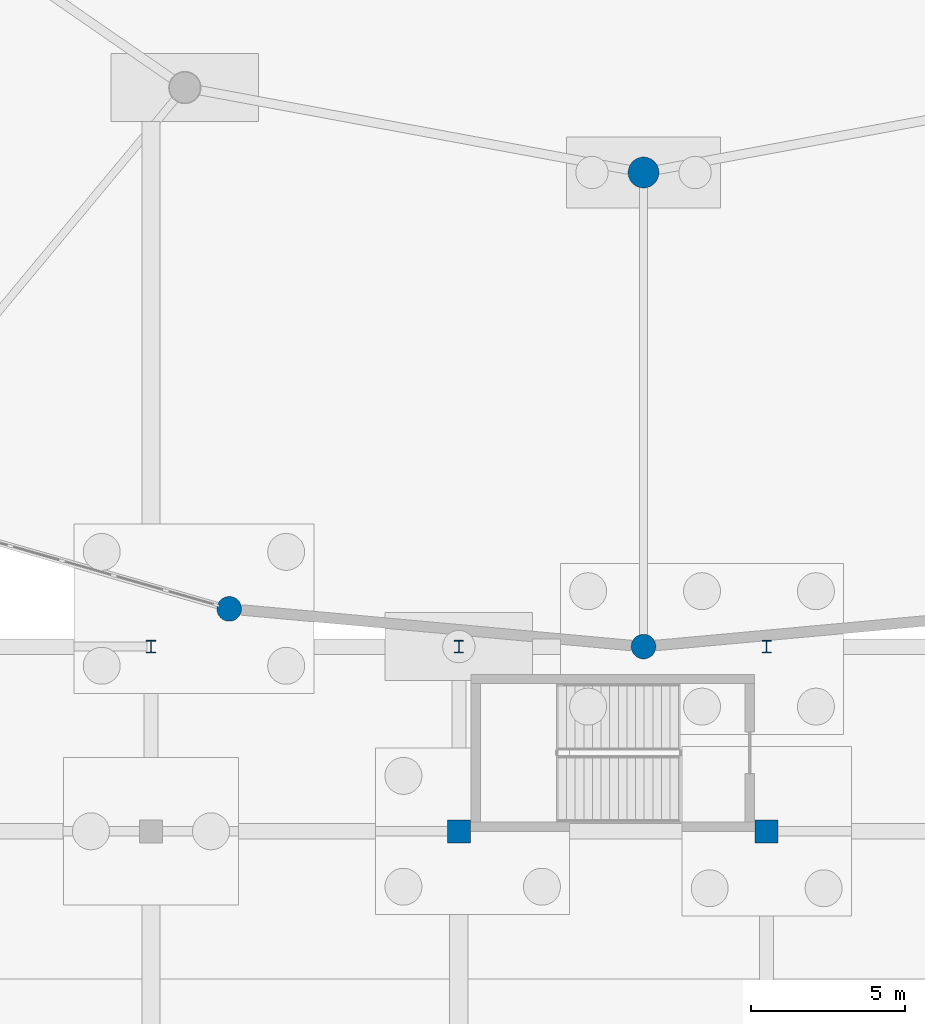
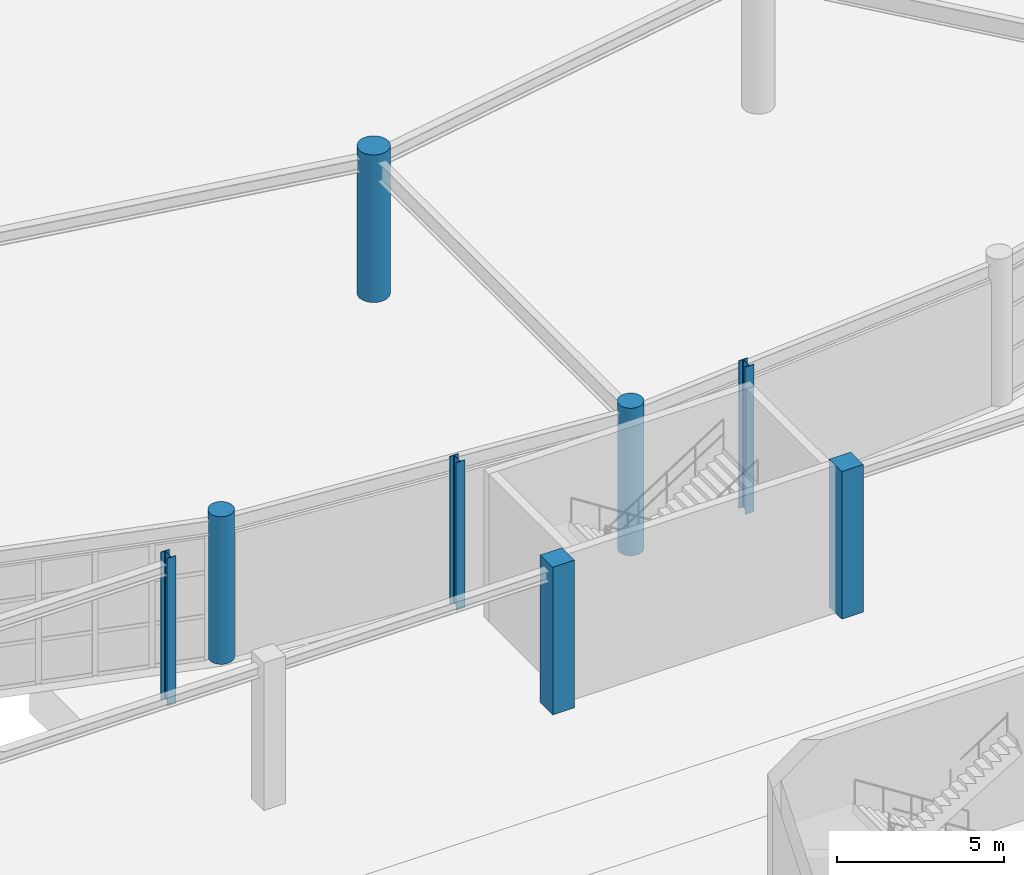
# One storey, part 12 of 99: 8 columns.
"""IFC4 building model written with IfcOpenShell, lengths in metres."""

from ifc_helpers import new_model, si_unit, direction, frame, origin, origin_2d, place, context, subcontext, project, spatial, rectangle, circle, i_section, extrude, material, material_profile, profile_set, type_object, element, save


model = new_model("IFC4")

# Units and contexts
model_context = context("Model", 3, precision=1e-05, world=origin(), true_north=direction((0.0, 1.0)))
body_context = subcontext(model_context, "Body", "Model", "MODEL_VIEW")
ifc_project = project(units=[si_unit("LENGTHUNIT", "METRE"), si_unit("AREAUNIT", "SQUARE_METRE"), si_unit("VOLUMEUNIT", "CUBIC_METRE"), si_unit("PLANEANGLEUNIT", "RADIAN"), si_unit("MASSUNIT", "GRAM", prefix="KILO")], contexts=[model_context])

# Site, building, storey
site_placement = place(None, origin())
site = spatial("IfcSite", under=ifc_project, at=site_placement, CompositionType="ELEMENT")
building_placement = place(site_placement, origin())
building = spatial("IfcBuilding", under=site, at=building_placement, Name="Kivolera Central Railway Station", CompositionType="ELEMENT")
storey_placement = place(building_placement, origin())
storey = spatial("IfcBuildingStorey", under=building, at=storey_placement, Name="L00", CompositionType="ELEMENT", Elevation=0.0)

# Columns
ifc_material_1 = material(Name="Concrete C40/50", Category="concrete")
ifc_material_profile_1 = material_profile(ifc_material_1, rectangle(XDim=0.75, YDim=0.75, at=origin_2d()), Name="RC 750x750")
ifc_profile_set_1 = profile_set([ifc_material_profile_1], Name="Concrete C40/50")
column_type_1 = type_object("IfcColumnType", Name="COL-RC-750", PredefinedType="COLUMN", material=ifc_profile_set_1)
for number, where, z_axis, x_axis, name in (
    (1, (58.0, 48.0, 0.0), (0.0, 0.0, 1.0), (1.0, 0.0, 0.0), "L00 Train Shed Column 6-D"),
    (2, (68.0, 48.0, 0.0), (0.0, 0.0, 1.0), (1.0, 0.0, 0.0), "L00 Train Shed Column 7-D"),
):
    element("IfcColumn", number, at=place(storey_placement, frame(where, z_axis=z_axis, x_axis=x_axis)), inside=storey, type_object=column_type_1, Name=name, PredefinedType="COLUMN", context=body_context, shape_type="SweptSolid", body=[
        extrude(rectangle(XDim=0.75, YDim=0.75, at=origin_2d()), origin(), (0.0, 0.0, 1.0), 5.39990234375),
    ])
ifc_material_profile_2 = material_profile(ifc_material_1, circle(Radius=0.5, at=origin_2d()), Name="RC D1000")
ifc_profile_set_2 = profile_set([ifc_material_profile_2], Name="Concrete C40/50")
column_type_2 = type_object("IfcColumnType", Name="COL-RC-D1000", PredefinedType="COLUMN", material=ifc_profile_set_2)
column_placement = place(storey_placement, frame((64.0, 69.39990234375, 0.0), z_axis=(0.0, 0.0, 1.0), x_axis=(1.0, 0.0, 0.0)))
element("IfcColumn", 3, at=column_placement, inside=storey, type_object=column_type_2, Name="L00 Oval Gallery Column I10", PredefinedType="COLUMN", context=body_context, shape_type="SweptSolid", body=[
    extrude(circle(Radius=0.5, at=origin_2d()), origin(), (0.0, 0.0, 1.0), 5.39990234375),
])
ifc_material_profile_3 = material_profile(ifc_material_1, circle(Radius=0.39990234375, at=origin_2d()), Name="RC D800")
ifc_profile_set_3 = profile_set([ifc_material_profile_3], Name="Concrete C40/50")
column_type_3 = type_object("IfcColumnType", Name="COL-RC-D800", PredefinedType="COLUMN", material=ifc_profile_set_3)
for number, where, z_axis, x_axis, name in (
    (4, (50.541015625, 55.22705078125, 0.0), (0.0, 0.0, 1.0), (1.0, 0.0, 0.0), "L00 Oval Drum Perimeter Column P18"),
    (5, (64.0, 54.0, 0.0), (0.0, 0.0, 1.0), (1.0, 0.0, 0.0), "L00 Oval Drum Perimeter Column P19"),
):
    element("IfcColumn", number, at=place(storey_placement, frame(where, z_axis=z_axis, x_axis=x_axis)), inside=storey, type_object=column_type_3, Name=name, PredefinedType="COLUMN", context=body_context, shape_type="SweptSolid", body=[
        extrude(circle(Radius=0.39990234375, at=origin_2d()), origin(), (0.0, 0.0, 1.0), 5.39990234375),
    ])
ifc_material_2 = material(Name="Steel S355", Category="steel")
ifc_material_profile_4 = material_profile(ifc_material_2, i_section(OverallWidth=0.300048828125, OverallDepth=0.39990234375, WebThickness=0.013427734375, FlangeThickness=0.02392578125, FilletRadius=0.027099609375, at=origin_2d()), Name="HEB 400")
ifc_profile_set_4 = profile_set([ifc_material_profile_4], Name="Steel S355")
column_type_4 = type_object("IfcColumnType", Name="COL-STL-HEB400", PredefinedType="COLUMN", material=ifc_profile_set_4)
for number, where, z_axis, x_axis, name in (
    (6, (48.0, 54.0, 0.0), (0.0, 0.0, 1.0), (1.0, 0.0, 0.0), "L00 Train Shed Threshold Column 5-E"),
    (7, (58.0, 54.0, 0.0), (0.0, 0.0, 1.0), (1.0, 0.0, 0.0), "L00 Train Shed Threshold Column 6-E"),
    (8, (68.0, 54.0, 0.0), (0.0, 0.0, 1.0), (1.0, 0.0, 0.0), "L00 Train Shed Threshold Column 7-E"),
):
    element("IfcColumn", number, at=place(storey_placement, frame(where, z_axis=z_axis, x_axis=x_axis)), inside=storey, type_object=column_type_4, Name=name, PredefinedType="COLUMN", context=body_context, shape_type="SweptSolid", body=[
        extrude(i_section(OverallWidth=0.300048828125, OverallDepth=0.39990234375, WebThickness=0.013427734375, FlangeThickness=0.02392578125, FilletRadius=0.027099609375, at=origin_2d()), origin(), (0.0, 0.0, 1.0), 5.39990234375),
    ])

save(model, "model.ifc")
